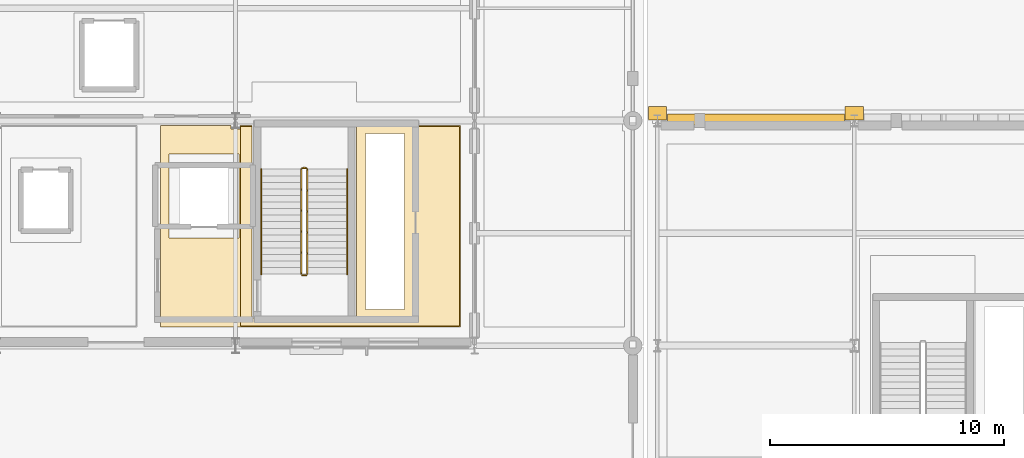
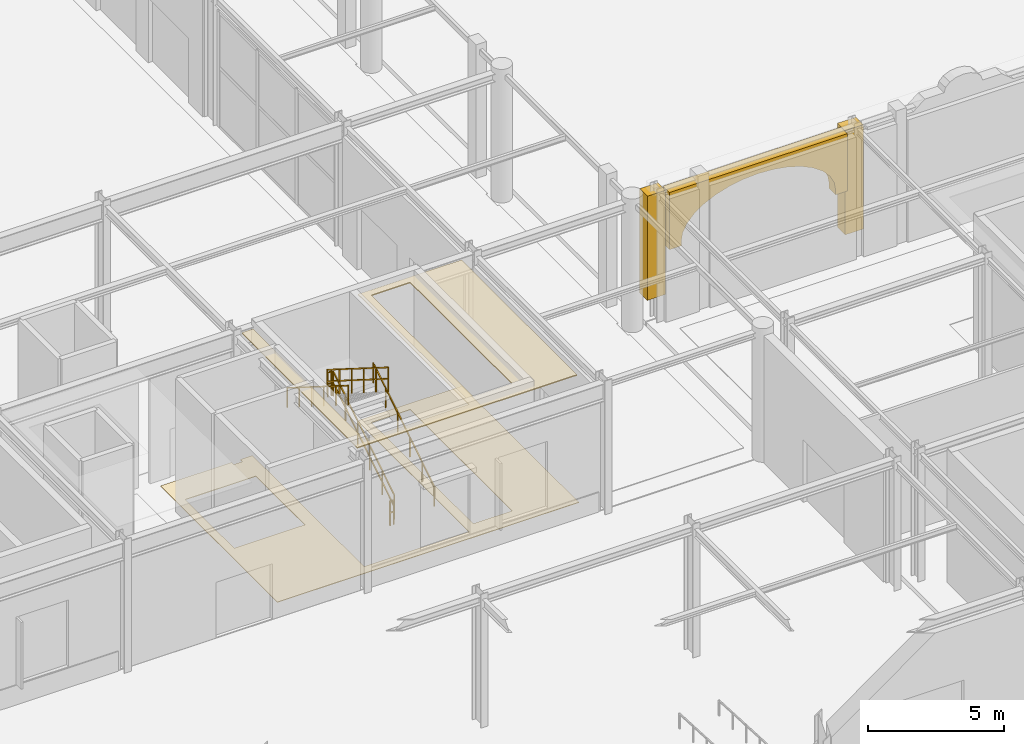
# One storey, part 85 of 113: 6 railings, 5 coverings.
"""IFC4 building model written with IfcOpenShell, lengths in metres."""

from ifc_helpers import new_model, si_unit, direction, frame, origin, origin_2d, place, context, subcontext, project, spatial, polyline, rectangle, outline, extrude, material, layer, layer_set, type_object, element, save


model = new_model("IFC4")

# Units and contexts
model_context = context("Model", 3, precision=1e-05, world=origin(), true_north=direction((0.0, 1.0)))
body_context = subcontext(model_context, "Body", "Model", "MODEL_VIEW")
ifc_project = project(units=[si_unit("LENGTHUNIT", "METRE"), si_unit("AREAUNIT", "SQUARE_METRE"), si_unit("VOLUMEUNIT", "CUBIC_METRE"), si_unit("PLANEANGLEUNIT", "RADIAN"), si_unit("MASSUNIT", "GRAM", prefix="KILO")], contexts=[model_context])

# Site, building, storey
site_placement = place(None, origin())
site = spatial("IfcSite", under=ifc_project, at=site_placement, CompositionType="ELEMENT")
building_placement = place(site_placement, origin())
building = spatial("IfcBuilding", under=site, at=building_placement, Name="Myrtia Square Station", CompositionType="ELEMENT")
storey_placement = place(building_placement, origin())
storey = spatial("IfcBuildingStorey", under=building, at=storey_placement, Name="L00", CompositionType="ELEMENT", Elevation=0.0)

# Coverings
ifc_material_1 = material(Name="Pentelic marble ashlar", Category="masonry")
ifc_layer_1 = layer(ifc_material_1, 0.4599609375, Name="Pentelic marble ashlar")
ifc_layer_set_1 = layer_set([ifc_layer_1], Name="Pentelic marble ashlar")
covering_type_1 = type_object("IfcCoveringType", Name="COV-ARCH-ASHLAR", PredefinedType="CLADDING", material=ifc_layer_set_1)
covering_1_placement = place(storey_placement, frame((118.02001953125, 38.449951171875, 3.050048828125), z_axis=(0.0, 0.0, 1.0), x_axis=(1.0, 0.0, 0.0)))
element("IfcCovering", 1, at=covering_1_placement, inside=storey, type_object=covering_type_1, Name="South square portales arcade arch 013", PredefinedType="CLADDING", context=body_context, shape_type="SweptSolid", body=[
    extrude(outline(polyline([(0.0, 0.0), (0.5, 0.0), (0.5, 0.199951171875), (0.56298828125, 0.570556640625), (0.749755859375, 0.927001953125), (1.052734375, 1.255615234375), (1.460693359375, 1.54345703125), (1.957763671875, 1.77978515625), (2.52490234375, 1.955322265625), (3.14013671875, 2.0634765625), (3.780029296875, 2.099853515625), (4.419921875, 2.0634765625), (5.03515625, 1.955322265625), (5.602294921875, 1.77978515625), (6.099365234375, 1.54345703125), (6.50732421875, 1.255615234375), (6.810302734375, 0.927001953125), (6.9970703125, 0.570556640625), (7.06005859375, 0.199951171875), (7.06005859375, 0.0), (7.56005859375, 0.0), (7.56005859375, 2.570068359375), (0.0, 2.570068359375), (0.0, 0.0)])), frame((0.0, 0.239990234375, 0.0), z_axis=(0.0, -1.0, 0.0), x_axis=(1.0, 0.0, 0.0)), (0.0, 0.0, 1.0), 0.47998046875),
])
for number, where, z_axis, x_axis, name in (
    (2, (117.60009765625, 38.719970703125, 0.919921875), (0.0, 0.0, 1.0), (1.0, 0.0, 0.0), "Classical Pentelic ashlar pilaster 001"),
    (3, (126.0, 38.719970703125, 0.919921875), (0.0, 0.0, 1.0), (1.0, 0.0, 0.0), "Classical Pentelic ashlar pilaster 009"),
):
    element("IfcCovering", number, at=place(storey_placement, frame(where, z_axis=z_axis, x_axis=x_axis)), inside=storey, type_object=covering_type_1, Name=name, PredefinedType="CLADDING", context=body_context, shape_type="SweptSolid", body=[
        extrude(rectangle(XDim=0.780029296875, YDim=0.56005859375, at=origin_2d()), origin(), (0.0, 0.0, 1.0), 4.679931640625),
    ])
ifc_material_2 = material(Name="Acoustic European oak timber", Category="wood")
ifc_layer_2 = layer(ifc_material_2, 0.044921875, Name="Acoustic European oak timber")
ifc_layer_set_2 = layer_set([ifc_layer_2], Name="Acoustic European oak timber")
covering_type_2 = type_object("IfcCoveringType", Name="COV-CEIL-OAK", PredefinedType="CEILING", material=ifc_layer_set_2)
covering_2_placement = place(storey_placement, frame((0.0, 0.0, 5.695068359375)))
element("IfcCovering", 4, at=covering_2_placement, inside=storey, type_object=covering_type_2, Name="Acoustic coffer ceiling L00-23", PredefinedType="CEILING", context=body_context, shape_type="SweptSolid", body=[
    extrude(outline(polyline([(99.820068359375, 29.64990234375), (99.820068359375, 38.14990234375), (100.300048828125, 38.14990234375), (100.300048828125, 29.97998046875), (104.760009765625, 29.97998046875), (104.760009765625, 38.14990234375), (109.14990234375, 38.14990234375), (109.14990234375, 29.64990234375), (99.820068359375, 29.64990234375)]), holes=[polyline([(106.800048828125, 37.85009765625), (105.14990234375, 37.85009765625), (105.14990234375, 30.35009765625), (106.800048828125, 30.35009765625), (106.800048828125, 37.85009765625)])]), origin(), (0.0, 0.0, 1.0), 0.044921875),
])
ifc_material_3 = material(Name="Terrazzo stone tile", Category="masonry")
ifc_layer_3 = layer(ifc_material_3, 0.02490234375, Name="Terrazzo stone tile")
ifc_layer_set_3 = layer_set([ifc_layer_3], Name="Terrazzo stone tile")
covering_type_3 = type_object("IfcCoveringType", Name="COV-FLR-TERRAZZO", PredefinedType="FLOORING", material=ifc_layer_set_3)
covering_3_placement = place(storey_placement, origin())
element("IfcCovering", 5, at=covering_3_placement, inside=storey, type_object=covering_type_3, Name="Terrazzo room flooring L00-23", PredefinedType="FLOORING", context=body_context, shape_type="SweptSolid", body=[
    extrude(outline(polyline([(96.39990234375, 38.199951171875), (99.409912109375, 38.199951171875), (99.409912109375, 38.0400390625), (99.7900390625, 38.0400390625), (99.7900390625, 38.199951171875), (100.300048828125, 38.199951171875), (100.300048828125, 29.97998046875), (104.760009765625, 29.97998046875), (104.760009765625, 38.199951171875), (109.199951171875, 38.199951171875), (109.199951171875, 29.60009765625), (96.39990234375, 29.60009765625), (96.39990234375, 38.199951171875)]), holes=[polyline([(106.800048828125, 30.35009765625), (106.800048828125, 37.85009765625), (105.14990234375, 37.85009765625), (105.14990234375, 30.35009765625), (106.800048828125, 30.35009765625)]), polyline([(99.75, 33.389892578125), (99.75, 36.989990234375), (96.75, 36.989990234375), (96.75, 33.389892578125), (99.75, 33.389892578125)])]), origin(), (0.0, 0.0, 1.0), 0.02490234375),
])

# Railings
ifc_material_4 = material(Name="Dark bronze anodised aluminium", Category="aluminium")
railing_type_1 = type_object("IfcRailingType", Name="RL-HANDRAIL-900", PredefinedType="HANDRAIL", material=ifc_material_4)
railing_1_placement = place(storey_placement, frame((104.360107421875, 31.85009765625, 0.176513671875)))
element("IfcRailing", 6, at=railing_1_placement, inside=storey, type_object=railing_type_1, Name="L00 ST03 stair handrail 1", PredefinedType="HANDRAIL", context=body_context, shape_type="SweptSolid", body=[
    extrude(rectangle(XDim=0.048095703125, YDim=0.048095703125, at=origin_2d()), frame((0.0, 0.029296875, 0.894287109375), z_axis=(0.0, 0.845997938375, 0.533186166611), x_axis=(-1.0, 0.0, 0.0)), (0.0, 0.0, 1.0), 0.98974609375),
    extrude(rectangle(XDim=0.048095703125, YDim=0.048095703125, at=origin_2d()), frame((0.0, 0.92529296875, 1.458984375), z_axis=(0.0, 0.845997938375, 0.533186166611), x_axis=(-1.0, 0.0, 0.0)), (0.0, 0.0, 1.0), 0.98974609375),
    extrude(rectangle(XDim=0.048095703125, YDim=0.048095703125, at=origin_2d()), frame((0.0, 1.8212890625, 2.023681640625), z_axis=(0.0, 0.845997938375, 0.533186166611), x_axis=(-1.0, 0.0, 0.0)), (0.0, 0.0, 1.0), 0.98974609375),
    extrude(rectangle(XDim=0.048095703125, YDim=0.048095703125, at=origin_2d()), frame((0.0, 2.71728515625, 2.58837890625), z_axis=(0.0, 0.845997938375, 0.533186166611), x_axis=(-1.0, 0.0, 0.0)), (0.0, 0.0, 1.0), 0.98974609375),
    extrude(rectangle(XDim=0.048095703125, YDim=0.048095703125, at=origin_2d()), frame((0.0, 3.61328125, 3.153076171875), z_axis=(0.0, 0.845997938375, 0.533186166611), x_axis=(-1.0, 0.0, 0.0)), (0.0, 0.0, 1.0), 0.98974609375),
    extrude(rectangle(XDim=0.0439453125, YDim=0.0439453125, at=origin_2d()), origin(), (0.0, 0.0, 1.0), 0.89990234375),
    extrude(rectangle(XDim=0.0439453125, YDim=0.0439453125, at=origin_2d()), frame((0.0, 0.89599609375, 0.564697265625)), (0.0, 0.0, 1.0), 0.89990234375),
    extrude(rectangle(XDim=0.0439453125, YDim=0.0439453125, at=origin_2d()), frame((0.0, 1.7919921875, 1.12939453125)), (0.0, 0.0, 1.0), 0.89990234375),
    extrude(rectangle(XDim=0.0439453125, YDim=0.0439453125, at=origin_2d()), frame((0.0, 2.68798828125, 1.694091796875)), (0.0, 0.0, 1.0), 0.89990234375),
    extrude(rectangle(XDim=0.0439453125, YDim=0.0439453125, at=origin_2d()), frame((0.0, 3.583984375, 2.2587890625)), (0.0, 0.0, 1.0), 0.89990234375),
    extrude(rectangle(XDim=0.0439453125, YDim=0.0439453125, at=origin_2d()), frame((0.0, 4.47998046875, 2.823486328125)), (0.0, 0.0, 1.0), 0.89990234375),
])
railing_2_placement = place(storey_placement, frame((100.699951171875, 36.330078125, 3.176513671875)))
element("IfcRailing", 7, at=railing_2_placement, inside=storey, type_object=railing_type_1, Name="L00 ST03 stair handrail 2", PredefinedType="HANDRAIL", context=body_context, shape_type="SweptSolid", body=[
    extrude(rectangle(XDim=0.048095703125, YDim=0.048095703125, at=origin_2d()), frame((0.0, -0.029296875, 0.894287109375), z_axis=(0.0, -0.845997938375, 0.533186166611), x_axis=(1.0, 0.0, 0.0)), (0.0, 0.0, 1.0), 0.98974609375),
    extrude(rectangle(XDim=0.048095703125, YDim=0.048095703125, at=origin_2d()), frame((0.0, -0.92529296875, 1.458984375), z_axis=(0.0, -0.845997938375, 0.533186166611), x_axis=(1.0, 0.0, 0.0)), (0.0, 0.0, 1.0), 0.98974609375),
    extrude(rectangle(XDim=0.048095703125, YDim=0.048095703125, at=origin_2d()), frame((0.0, -1.8212890625, 2.023681640625), z_axis=(0.0, -0.845997938375, 0.533186166611), x_axis=(1.0, 0.0, 0.0)), (0.0, 0.0, 1.0), 0.98974609375),
    extrude(rectangle(XDim=0.048095703125, YDim=0.048095703125, at=origin_2d()), frame((0.0, -2.71728515625, 2.58837890625), z_axis=(0.0, -0.845997938375, 0.533186166611), x_axis=(1.0, 0.0, 0.0)), (0.0, 0.0, 1.0), 0.98974609375),
    extrude(rectangle(XDim=0.048095703125, YDim=0.048095703125, at=origin_2d()), frame((0.0, -3.61328125, 3.153076171875), z_axis=(0.0, -0.845997938375, 0.533186166611), x_axis=(1.0, 0.0, 0.0)), (0.0, 0.0, 1.0), 0.98974609375),
    extrude(rectangle(XDim=0.0439453125, YDim=0.0439453125, at=origin_2d()), origin(), (0.0, 0.0, 1.0), 0.89990234375),
    extrude(rectangle(XDim=0.0439453125, YDim=0.0439453125, at=origin_2d()), frame((0.0, -0.89599609375, 0.564697265625)), (0.0, 0.0, 1.0), 0.89990234375),
    extrude(rectangle(XDim=0.0439453125, YDim=0.0439453125, at=origin_2d()), frame((0.0, -1.7919921875, 1.12939453125)), (0.0, 0.0, 1.0), 0.89990234375),
    extrude(rectangle(XDim=0.0439453125, YDim=0.0439453125, at=origin_2d()), frame((0.0, -2.68798828125, 1.694091796875)), (0.0, 0.0, 1.0), 0.89990234375),
    extrude(rectangle(XDim=0.0439453125, YDim=0.0439453125, at=origin_2d()), frame((0.0, -3.583984375, 2.2587890625)), (0.0, 0.0, 1.0), 0.89990234375),
    extrude(rectangle(XDim=0.0439453125, YDim=0.0439453125, at=origin_2d()), frame((0.0, -4.47998046875, 2.823486328125)), (0.0, 0.0, 1.0), 0.89990234375),
])
ifc_material_5 = material(Name="Wrought iron", Category="steel")
railing_type_2 = type_object("IfcRailingType", Name="RL-INT-GUARD-1100", PredefinedType="BALUSTRADE", material=ifc_material_5)
railing_3_placement = place(storey_placement, frame((102.659912109375, 31.85009765625, 0.176513671875)))
element("IfcRailing", 8, at=railing_3_placement, inside=storey, type_object=railing_type_2, Name="L00 ST03 stair guard 1", PredefinedType="BALUSTRADE", context=body_context, shape_type="SweptSolid", body=[
    extrude(rectangle(XDim=0.048095703125, YDim=0.048095703125, at=origin_2d()), frame((0.0, 0.029296875, 1.114501953125), z_axis=(0.0, 0.845997938375, 0.533186166611), x_axis=(-1.0, 0.0, 0.0)), (0.0, 0.0, 1.0), 0.98974609375),
    extrude(rectangle(XDim=0.048095703125, YDim=0.048095703125, at=origin_2d()), frame((0.0, 0.029296875, 0.600830078125), z_axis=(0.0, 0.845997938375, 0.533186166611), x_axis=(-1.0, 0.0, 0.0)), (0.0, 0.0, 1.0), 0.98974609375),
    extrude(rectangle(XDim=0.048095703125, YDim=0.048095703125, at=origin_2d()), frame((0.0, 0.92529296875, 1.67919921875), z_axis=(0.0, 0.845997938375, 0.533186166611), x_axis=(-1.0, 0.0, 0.0)), (0.0, 0.0, 1.0), 0.98974609375),
    extrude(rectangle(XDim=0.048095703125, YDim=0.048095703125, at=origin_2d()), frame((0.0, 0.92529296875, 1.16552734375), z_axis=(0.0, 0.845997938375, 0.533186166611), x_axis=(-1.0, 0.0, 0.0)), (0.0, 0.0, 1.0), 0.98974609375),
    extrude(rectangle(XDim=0.048095703125, YDim=0.048095703125, at=origin_2d()), frame((0.0, 1.8212890625, 2.243896484375), z_axis=(0.0, 0.845997938375, 0.533186166611), x_axis=(-1.0, 0.0, 0.0)), (0.0, 0.0, 1.0), 0.98974609375),
    extrude(rectangle(XDim=0.048095703125, YDim=0.048095703125, at=origin_2d()), frame((0.0, 1.8212890625, 1.730224609375), z_axis=(0.0, 0.845997938375, 0.533186166611), x_axis=(-1.0, 0.0, 0.0)), (0.0, 0.0, 1.0), 0.98974609375),
    extrude(rectangle(XDim=0.048095703125, YDim=0.048095703125, at=origin_2d()), frame((0.0, 2.71728515625, 2.80859375), z_axis=(0.0, 0.845997938375, 0.533186166611), x_axis=(-1.0, 0.0, 0.0)), (0.0, 0.0, 1.0), 0.98974609375),
    extrude(rectangle(XDim=0.048095703125, YDim=0.048095703125, at=origin_2d()), frame((0.0, 2.71728515625, 2.294921875), z_axis=(0.0, 0.845997938375, 0.533186166611), x_axis=(-1.0, 0.0, 0.0)), (0.0, 0.0, 1.0), 0.98974609375),
    extrude(rectangle(XDim=0.048095703125, YDim=0.048095703125, at=origin_2d()), frame((0.0, 3.61328125, 3.373291015625), z_axis=(0.0, 0.845997938375, 0.533186166611), x_axis=(-1.0, 0.0, 0.0)), (0.0, 0.0, 1.0), 0.98974609375),
    extrude(rectangle(XDim=0.048095703125, YDim=0.048095703125, at=origin_2d()), frame((0.0, 3.61328125, 2.859619140625), z_axis=(0.0, 0.845997938375, 0.533186166611), x_axis=(-1.0, 0.0, 0.0)), (0.0, 0.0, 1.0), 0.98974609375),
    extrude(rectangle(XDim=0.0439453125, YDim=0.0439453125, at=origin_2d()), origin(), (0.0, 0.0, 1.0), 1.1201171875),
    extrude(rectangle(XDim=0.0439453125, YDim=0.0439453125, at=origin_2d()), frame((0.0, 0.89599609375, 0.564697265625)), (0.0, 0.0, 1.0), 1.1201171875),
    extrude(rectangle(XDim=0.0439453125, YDim=0.0439453125, at=origin_2d()), frame((0.0, 1.7919921875, 1.12939453125)), (0.0, 0.0, 1.0), 1.1201171875),
    extrude(rectangle(XDim=0.0439453125, YDim=0.0439453125, at=origin_2d()), frame((0.0, 2.68798828125, 1.694091796875)), (0.0, 0.0, 1.0), 1.1201171875),
    extrude(rectangle(XDim=0.0439453125, YDim=0.0439453125, at=origin_2d()), frame((0.0, 3.583984375, 2.2587890625)), (0.0, 0.0, 1.0), 1.1201171875),
    extrude(rectangle(XDim=0.0439453125, YDim=0.0439453125, at=origin_2d()), frame((0.0, 4.47998046875, 2.823486328125)), (0.0, 0.0, 1.0), 1.1201171875),
])
railing_4_placement = place(storey_placement, frame((102.610107421875, 36.3798828125, 3.0)))
element("IfcRailing", 9, at=railing_4_placement, inside=storey, type_object=railing_type_2, Name="L00 ST03 stair guard 2", PredefinedType="BALUSTRADE", context=body_context, shape_type="SweptSolid", body=[
    extrude(rectangle(XDim=0.048095703125, YDim=0.048095703125, at=origin_2d()), frame((-0.03466796875, 0.0, 1.09619140625), z_axis=(-1.0, 0.0, 0.0), x_axis=(0.0, -1.0, 0.0)), (0.0, 0.0, 1.0), 0.0908203125),
    extrude(rectangle(XDim=0.048095703125, YDim=0.048095703125, at=origin_2d()), frame((-0.03466796875, 0.0, 0.58251953125), z_axis=(-1.0, 0.0, 0.0), x_axis=(0.0, -1.0, 0.0)), (0.0, 0.0, 1.0), 0.0908203125),
    extrude(rectangle(XDim=0.0439453125, YDim=0.0439453125, at=origin_2d()), origin(), (0.0, 0.0, 1.0), 1.1201171875),
    extrude(rectangle(XDim=0.0439453125, YDim=0.0439453125, at=origin_2d()), frame((-0.16015625, 0.0, 0.0)), (0.0, 0.0, 1.0), 1.1201171875),
])
railing_5_placement = place(storey_placement, frame((102.39990234375, 36.330078125, 3.176513671875)))
element("IfcRailing", 10, at=railing_5_placement, inside=storey, type_object=railing_type_2, Name="L00 ST03 stair guard 3", PredefinedType="BALUSTRADE", context=body_context, shape_type="SweptSolid", body=[
    extrude(rectangle(XDim=0.048095703125, YDim=0.048095703125, at=origin_2d()), frame((0.0, -0.029296875, 1.114501953125), z_axis=(0.0, -0.845997938375, 0.533186166611), x_axis=(1.0, 0.0, 0.0)), (0.0, 0.0, 1.0), 0.98974609375),
    extrude(rectangle(XDim=0.048095703125, YDim=0.048095703125, at=origin_2d()), frame((0.0, -0.029296875, 0.600830078125), z_axis=(0.0, -0.845997938375, 0.533186166611), x_axis=(1.0, 0.0, 0.0)), (0.0, 0.0, 1.0), 0.98974609375),
    extrude(rectangle(XDim=0.048095703125, YDim=0.048095703125, at=origin_2d()), frame((0.0, -0.92529296875, 1.67919921875), z_axis=(0.0, -0.845997938375, 0.533186166611), x_axis=(1.0, 0.0, 0.0)), (0.0, 0.0, 1.0), 0.98974609375),
    extrude(rectangle(XDim=0.048095703125, YDim=0.048095703125, at=origin_2d()), frame((0.0, -0.92529296875, 1.16552734375), z_axis=(0.0, -0.845997938375, 0.533186166611), x_axis=(1.0, 0.0, 0.0)), (0.0, 0.0, 1.0), 0.98974609375),
    extrude(rectangle(XDim=0.048095703125, YDim=0.048095703125, at=origin_2d()), frame((0.0, -1.8212890625, 2.243896484375), z_axis=(0.0, -0.845997938375, 0.533186166611), x_axis=(1.0, 0.0, 0.0)), (0.0, 0.0, 1.0), 0.98974609375),
    extrude(rectangle(XDim=0.048095703125, YDim=0.048095703125, at=origin_2d()), frame((0.0, -1.8212890625, 1.730224609375), z_axis=(0.0, -0.845997938375, 0.533186166611), x_axis=(1.0, 0.0, 0.0)), (0.0, 0.0, 1.0), 0.98974609375),
    extrude(rectangle(XDim=0.048095703125, YDim=0.048095703125, at=origin_2d()), frame((0.0, -2.71728515625, 2.80859375), z_axis=(0.0, -0.845997938375, 0.533186166611), x_axis=(1.0, 0.0, 0.0)), (0.0, 0.0, 1.0), 0.98974609375),
    extrude(rectangle(XDim=0.048095703125, YDim=0.048095703125, at=origin_2d()), frame((0.0, -2.71728515625, 2.294921875), z_axis=(0.0, -0.845997938375, 0.533186166611), x_axis=(1.0, 0.0, 0.0)), (0.0, 0.0, 1.0), 0.98974609375),
    extrude(rectangle(XDim=0.048095703125, YDim=0.048095703125, at=origin_2d()), frame((0.0, -3.61328125, 3.373291015625), z_axis=(0.0, -0.845997938375, 0.533186166611), x_axis=(1.0, 0.0, 0.0)), (0.0, 0.0, 1.0), 0.98974609375),
    extrude(rectangle(XDim=0.048095703125, YDim=0.048095703125, at=origin_2d()), frame((0.0, -3.61328125, 2.859619140625), z_axis=(0.0, -0.845997938375, 0.533186166611), x_axis=(1.0, 0.0, 0.0)), (0.0, 0.0, 1.0), 0.98974609375),
    extrude(rectangle(XDim=0.0439453125, YDim=0.0439453125, at=origin_2d()), origin(), (0.0, 0.0, 1.0), 1.1201171875),
    extrude(rectangle(XDim=0.0439453125, YDim=0.0439453125, at=origin_2d()), frame((0.0, -0.89599609375, 0.564697265625)), (0.0, 0.0, 1.0), 1.1201171875),
    extrude(rectangle(XDim=0.0439453125, YDim=0.0439453125, at=origin_2d()), frame((0.0, -1.7919921875, 1.12939453125)), (0.0, 0.0, 1.0), 1.1201171875),
    extrude(rectangle(XDim=0.0439453125, YDim=0.0439453125, at=origin_2d()), frame((0.0, -2.68798828125, 1.694091796875)), (0.0, 0.0, 1.0), 1.1201171875),
    extrude(rectangle(XDim=0.0439453125, YDim=0.0439453125, at=origin_2d()), frame((0.0, -3.583984375, 2.2587890625)), (0.0, 0.0, 1.0), 1.1201171875),
    extrude(rectangle(XDim=0.0439453125, YDim=0.0439453125, at=origin_2d()), frame((0.0, -4.47998046875, 2.823486328125)), (0.0, 0.0, 1.0), 1.1201171875),
])
railing_6_placement = place(storey_placement, frame((102.610107421875, 31.800048828125, 0.0)))
element("IfcRailing", 11, at=railing_6_placement, inside=storey, type_object=railing_type_2, Name="L00 ST03 stair guard 4", PredefinedType="BALUSTRADE", context=body_context, shape_type="SweptSolid", body=[
    extrude(rectangle(XDim=0.048095703125, YDim=0.048095703125, at=origin_2d()), frame((-0.03466796875, 0.0, 1.09619140625), z_axis=(-1.0, 0.0, 0.0), x_axis=(0.0, -1.0, 0.0)), (0.0, 0.0, 1.0), 0.0908203125),
    extrude(rectangle(XDim=0.048095703125, YDim=0.048095703125, at=origin_2d()), frame((-0.03466796875, 0.0, 0.58251953125), z_axis=(-1.0, 0.0, 0.0), x_axis=(0.0, -1.0, 0.0)), (0.0, 0.0, 1.0), 0.0908203125),
    extrude(rectangle(XDim=0.0439453125, YDim=0.0439453125, at=origin_2d()), origin(), (0.0, 0.0, 1.0), 1.1201171875),
    extrude(rectangle(XDim=0.0439453125, YDim=0.0439453125, at=origin_2d()), frame((-0.16015625, 0.0, 0.0)), (0.0, 0.0, 1.0), 1.1201171875),
])

save(model, "model.ifc")
